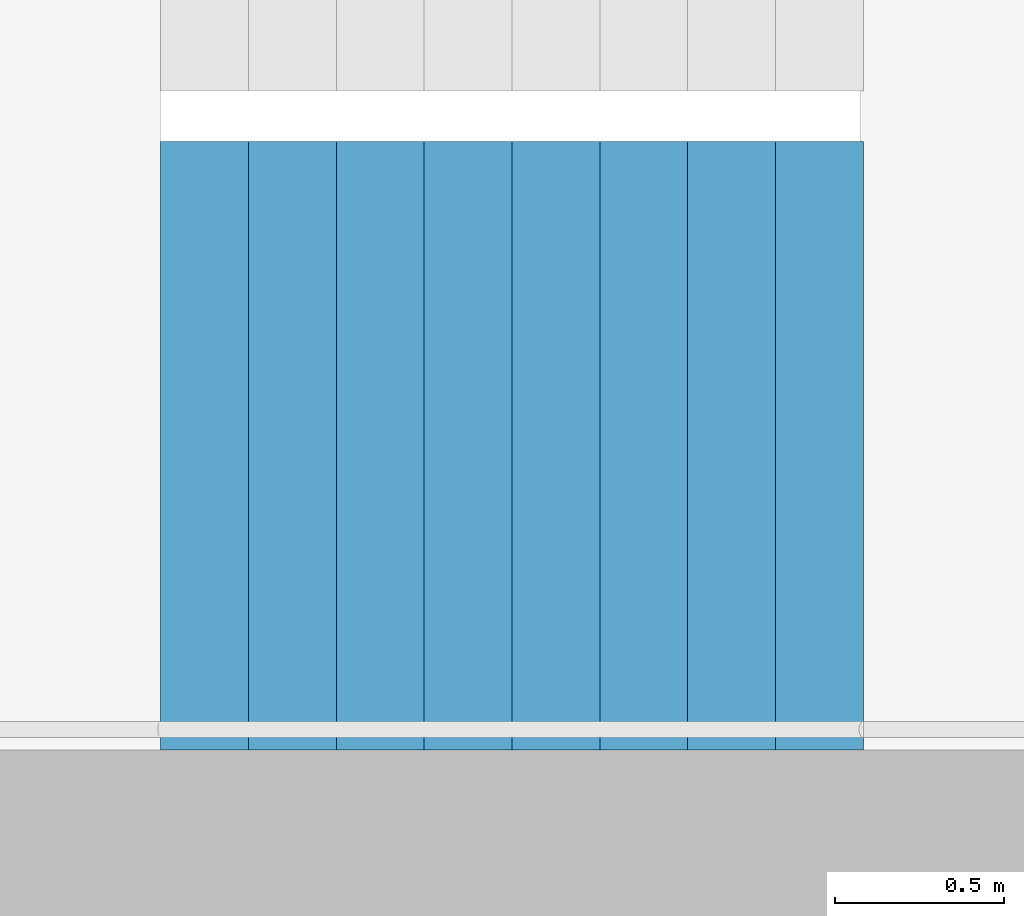
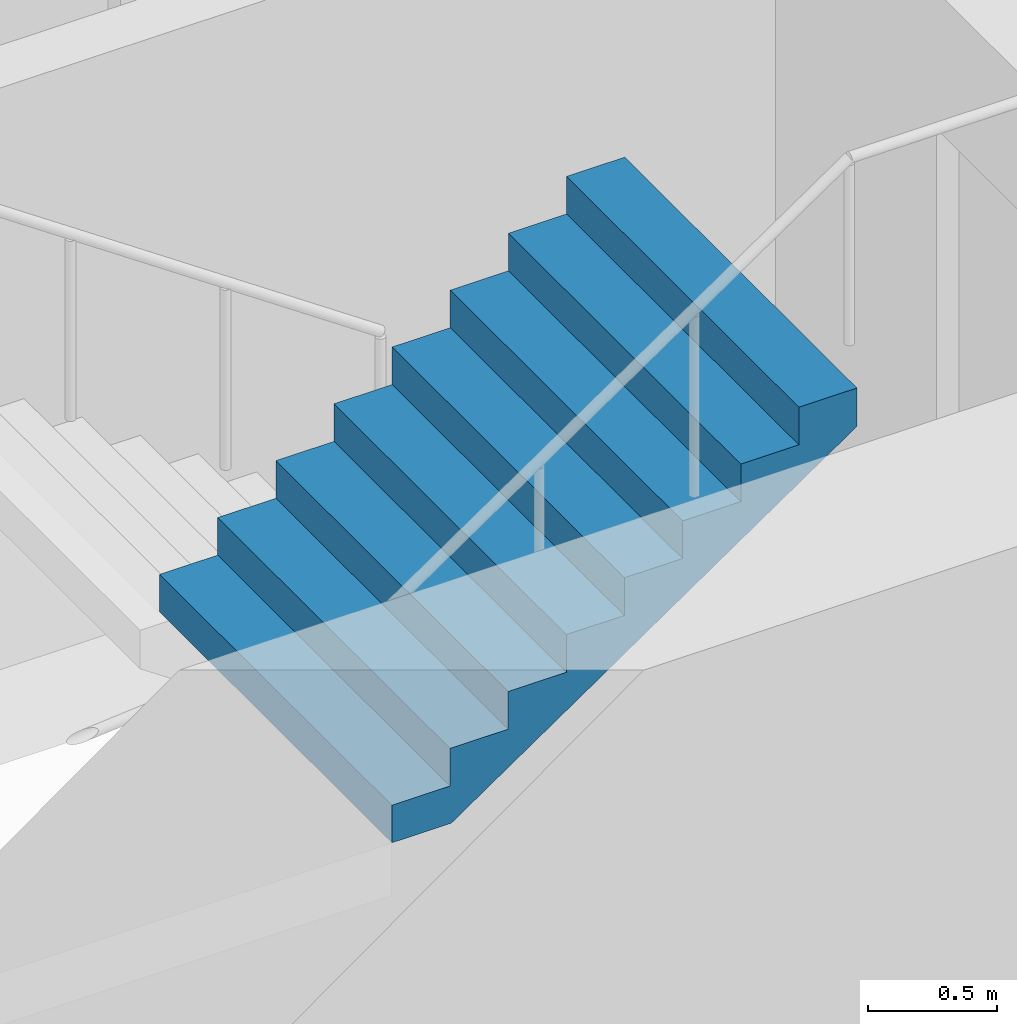
# One storey, part 19 of 27: 1 stair flight, 1 element without a shape of its own.
"""IFC4 building model written with IfcOpenShell, lengths in metres."""

from ifc_helpers import new_model, si_unit, direction, frame, origin, place, context, subcontext, project, spatial, triangles, material, type_object, element, aggregate, save


model = new_model("IFC4")

# Units and contexts
model_context = context("Model", 3, precision=1e-05, world=origin(), true_north=direction((0.0, 1.0)))
body_context = subcontext(model_context, "Body", "Model", "MODEL_VIEW")
ifc_project = project(units=[si_unit("LENGTHUNIT", "METRE"), si_unit("AREAUNIT", "SQUARE_METRE"), si_unit("VOLUMEUNIT", "CUBIC_METRE"), si_unit("PLANEANGLEUNIT", "RADIAN"), si_unit("MASSUNIT", "GRAM", prefix="KILO")], contexts=[model_context])

# Site, building, storey
site_placement = place(None, origin())
site = spatial("IfcSite", under=ifc_project, at=site_placement, CompositionType="ELEMENT")
building_placement = place(site_placement, origin())
building = spatial("IfcBuilding", under=site, at=building_placement, Name="Hakoniwa Tower and Hamabe Station Hall", CompositionType="ELEMENT")
storey_placement = place(building_placement, frame((0.0, 0.0, 242.199951171875)))
storey = spatial("IfcBuildingStorey", under=building, at=storey_placement, Name="L68", CompositionType="ELEMENT", Elevation=242.199951171875)

# Stair, stair flight
ifc_material_1 = material(Name="Concrete C40", Category="concrete")
stair_type = type_object("IfcStairType", Name="ESCAPE STAIR 1800", PredefinedType="HALF_TURN_STAIR", material=ifc_material_1)
stair_placement = place(storey_placement, origin())
stair = element("IfcStair", 1, at=stair_placement, inside=storey, type_object=stair_type, Name="Escape stair ST-2 L68", PredefinedType="HALF_TURN_STAIR")
ifc_material_2 = material(Name="Concrete C40", Category="concrete")
stair_flight_type = type_object("IfcStairFlightType", Name="STAIR FLIGHT 1800", PredefinedType="STRAIGHT", material=ifc_material_2)
stair_flight_placement = place(storey_placement, frame((-25.47998046875, -6.60009765625, 1.60009765625), z_axis=(0.0, 0.0, 1.0), x_axis=(1.0, 0.0, 0.0)))
stair_flight = element("IfcStairFlight", 2, at=stair_flight_placement, type_object=stair_flight_type, Name="ST-2 flight 2", NumberOfRisers=9, NumberOfTreads=8, PredefinedType="STRAIGHT", RiserHeight=0.177777778, TreadLength=0.26, context=body_context, shape_type="Tessellation", body=[
    triangles([(0.0, 0.89990234375, 0.0), (0.260009765625, 0.89990234375, 0.0), (0.265625, 0.89990234375, 0.0), (0.52001953125, 0.89990234375, 0.174072265625), (0.780029296875, 0.89990234375, 0.351806640625), (1.0400390625, 0.89990234375, 0.529541015625), (1.300048828125, 0.89990234375, 0.707275390625), (1.56005859375, 0.89990234375, 0.885009765625), (1.820068359375, 0.89990234375, 1.062744140625), (2.080078125, 0.89990234375, 1.24072265625), (2.080078125, 0.89990234375, 1.422119140625), (1.820068359375, 0.89990234375, 1.422119140625), (1.820068359375, 0.89990234375, 1.244384765625), (1.56005859375, 0.89990234375, 1.244384765625), (1.56005859375, 0.89990234375, 1.066650390625), (1.300048828125, 0.89990234375, 1.066650390625), (1.300048828125, 0.89990234375, 0.888916015625), (1.0400390625, 0.89990234375, 0.888916015625), (1.0400390625, 0.89990234375, 0.711181640625), (0.780029296875, 0.89990234375, 0.711181640625), (0.780029296875, 0.89990234375, 0.533447265625), (0.52001953125, 0.89990234375, 0.533447265625), (0.52001953125, 0.89990234375, 0.35546875), (0.265625, 0.89990234375, 0.35546875), (0.260009765625, 0.89990234375, 0.35546875), (0.260009765625, 0.89990234375, 0.177734375), (0.0, 0.89990234375, 0.177734375), (0.0, 0.06005859375, 0.0), (0.260009765625, 0.06005859375, 0.0), (0.265625, 0.06005859375, 0.0), (0.52001953125, 0.06005859375, 0.174072265625), (0.780029296875, 0.06005859375, 0.351806640625), (1.0400390625, 0.06005859375, 0.529541015625), (1.300048828125, 0.06005859375, 0.707275390625), (1.56005859375, 0.06005859375, 0.885009765625), (1.820068359375, 0.06005859375, 1.062744140625), (2.080078125, 0.06005859375, 1.24072265625), (2.080078125, 0.06005859375, 1.422119140625), (1.820068359375, 0.06005859375, 1.422119140625), (1.820068359375, 0.06005859375, 1.244384765625), (1.56005859375, 0.06005859375, 1.244384765625), (1.56005859375, 0.06005859375, 1.066650390625), (1.300048828125, 0.06005859375, 1.066650390625), (1.300048828125, 0.06005859375, 0.888916015625), (1.0400390625, 0.06005859375, 0.888916015625), (1.0400390625, 0.06005859375, 0.711181640625), (0.780029296875, 0.06005859375, 0.711181640625), (0.780029296875, 0.06005859375, 0.533447265625), (0.52001953125, 0.06005859375, 0.533447265625), (0.52001953125, 0.06005859375, 0.35546875), (0.265625, 0.06005859375, 0.35546875), (0.260009765625, 0.06005859375, 0.35546875), (0.260009765625, 0.06005859375, 0.177734375), (0.0, 0.06005859375, 0.177734375), (0.0, 0.04296875, 0.0), (0.260009765625, 0.04296875, 0.0), (0.265625, 0.04296875, 0.0), (0.52001953125, 0.04296875, 0.174072265625), (0.780029296875, 0.04296875, 0.351806640625), (1.0400390625, 0.04296875, 0.529541015625), (1.300048828125, 0.04296875, 0.707275390625), (1.56005859375, 0.04296875, 0.885009765625), (1.820068359375, 0.04296875, 1.062744140625), (2.080078125, 0.04296875, 1.24072265625), (2.080078125, 0.04296875, 1.422119140625), (1.820068359375, 0.04296875, 1.422119140625), (1.820068359375, 0.04296875, 1.244384765625), (1.56005859375, 0.04296875, 1.244384765625), (1.56005859375, 0.04296875, 1.066650390625), (1.300048828125, 0.04296875, 1.066650390625), (1.300048828125, 0.04296875, 0.888916015625), (1.0400390625, 0.04296875, 0.888916015625), (1.0400390625, 0.04296875, 0.711181640625), (0.780029296875, 0.04296875, 0.711181640625), (0.780029296875, 0.04296875, 0.533447265625), (0.52001953125, 0.04296875, 0.533447265625), (0.52001953125, 0.04296875, 0.35546875), (0.265625, 0.04296875, 0.35546875), (0.260009765625, 0.04296875, 0.35546875), (0.260009765625, 0.04296875, 0.177734375), (0.0, 0.04296875, 0.177734375), (0.0, 0.025634765625, 0.0), (0.260009765625, 0.025634765625, 0.0), (0.265625, 0.025634765625, 0.0), (0.52001953125, 0.025634765625, 0.174072265625), (0.780029296875, 0.025634765625, 0.351806640625), (1.0400390625, 0.025634765625, 0.529541015625), (1.300048828125, 0.025634765625, 0.707275390625), (1.56005859375, 0.025634765625, 0.885009765625), (1.820068359375, 0.025634765625, 1.062744140625), (2.080078125, 0.025634765625, 1.24072265625), (2.080078125, 0.025634765625, 1.422119140625), (1.820068359375, 0.025634765625, 1.422119140625), (1.820068359375, 0.025634765625, 1.244384765625), (1.56005859375, 0.025634765625, 1.244384765625), (1.56005859375, 0.025634765625, 1.066650390625), (1.300048828125, 0.025634765625, 1.066650390625), (1.300048828125, 0.025634765625, 0.888916015625), (1.0400390625, 0.025634765625, 0.888916015625), (1.0400390625, 0.025634765625, 0.711181640625), (0.780029296875, 0.025634765625, 0.711181640625), (0.780029296875, 0.025634765625, 0.533447265625), (0.52001953125, 0.025634765625, 0.533447265625), (0.52001953125, 0.025634765625, 0.35546875), (0.265625, 0.025634765625, 0.35546875), (0.260009765625, 0.025634765625, 0.35546875), (0.260009765625, 0.025634765625, 0.177734375), (0.0, 0.025634765625, 0.177734375), (0.0, 0.008544921875, 0.0), (0.260009765625, 0.008544921875, 0.0), (0.265625, 0.008544921875, 0.0), (0.52001953125, 0.008544921875, 0.174072265625), (0.780029296875, 0.008544921875, 0.351806640625), (1.0400390625, 0.008544921875, 0.529541015625), (1.300048828125, 0.008544921875, 0.707275390625), (1.56005859375, 0.008544921875, 0.885009765625), (1.820068359375, 0.008544921875, 1.062744140625), (2.080078125, 0.008544921875, 1.24072265625), (2.080078125, 0.008544921875, 1.422119140625), (1.820068359375, 0.008544921875, 1.422119140625), (1.820068359375, 0.008544921875, 1.244384765625), (1.56005859375, 0.008544921875, 1.244384765625), (1.56005859375, 0.008544921875, 1.066650390625), (1.300048828125, 0.008544921875, 1.066650390625), (1.300048828125, 0.008544921875, 0.888916015625), (1.0400390625, 0.008544921875, 0.888916015625), (1.0400390625, 0.008544921875, 0.711181640625), (0.780029296875, 0.008544921875, 0.711181640625), (0.780029296875, 0.008544921875, 0.533447265625), (0.52001953125, 0.008544921875, 0.533447265625), (0.52001953125, 0.008544921875, 0.35546875), (0.265625, 0.008544921875, 0.35546875), (0.260009765625, 0.008544921875, 0.35546875), (0.260009765625, 0.008544921875, 0.177734375), (0.0, 0.008544921875, 0.177734375), (0.0, -0.008544921875, 0.0), (0.260009765625, -0.008544921875, 0.0), (0.265625, -0.008544921875, 0.0), (0.52001953125, -0.008544921875, 0.174072265625), (0.780029296875, -0.008544921875, 0.351806640625), (1.0400390625, -0.008544921875, 0.529541015625), (1.300048828125, -0.008544921875, 0.707275390625), (1.56005859375, -0.008544921875, 0.885009765625), (1.820068359375, -0.008544921875, 1.062744140625), (2.080078125, -0.008544921875, 1.24072265625), (2.080078125, -0.008544921875, 1.422119140625), (1.820068359375, -0.008544921875, 1.422119140625), (1.820068359375, -0.008544921875, 1.244384765625), (1.56005859375, -0.008544921875, 1.244384765625), (1.56005859375, -0.008544921875, 1.066650390625), (1.300048828125, -0.008544921875, 1.066650390625), (1.300048828125, -0.008544921875, 0.888916015625), (1.0400390625, -0.008544921875, 0.888916015625), (1.0400390625, -0.008544921875, 0.711181640625), (0.780029296875, -0.008544921875, 0.711181640625), (0.780029296875, -0.008544921875, 0.533447265625), (0.52001953125, -0.008544921875, 0.533447265625), (0.52001953125, -0.008544921875, 0.35546875), (0.265625, -0.008544921875, 0.35546875), (0.260009765625, -0.008544921875, 0.35546875), (0.260009765625, -0.008544921875, 0.177734375), (0.0, -0.008544921875, 0.177734375), (0.0, -0.025634765625, 0.0), (0.260009765625, -0.025634765625, 0.0), (0.265625, -0.025634765625, 0.0), (0.52001953125, -0.025634765625, 0.174072265625), (0.780029296875, -0.025634765625, 0.351806640625), (1.0400390625, -0.025634765625, 0.529541015625), (1.300048828125, -0.025634765625, 0.707275390625), (1.56005859375, -0.025634765625, 0.885009765625), (1.820068359375, -0.025634765625, 1.062744140625), (2.080078125, -0.025634765625, 1.24072265625), (2.080078125, -0.025634765625, 1.422119140625), (1.820068359375, -0.025634765625, 1.422119140625), (1.820068359375, -0.025634765625, 1.244384765625), (1.56005859375, -0.025634765625, 1.244384765625), (1.56005859375, -0.025634765625, 1.066650390625), (1.300048828125, -0.025634765625, 1.066650390625), (1.300048828125, -0.025634765625, 0.888916015625), (1.0400390625, -0.025634765625, 0.888916015625), (1.0400390625, -0.025634765625, 0.711181640625), (0.780029296875, -0.025634765625, 0.711181640625), (0.780029296875, -0.025634765625, 0.533447265625), (0.52001953125, -0.025634765625, 0.533447265625), (0.52001953125, -0.025634765625, 0.35546875), (0.265625, -0.025634765625, 0.35546875), (0.260009765625, -0.025634765625, 0.35546875), (0.260009765625, -0.025634765625, 0.177734375), (0.0, -0.025634765625, 0.177734375), (0.0, -0.04296875, 0.0), (0.260009765625, -0.04296875, 0.0), (0.265625, -0.04296875, 0.0), (0.52001953125, -0.04296875, 0.174072265625), (0.780029296875, -0.04296875, 0.351806640625), (1.0400390625, -0.04296875, 0.529541015625), (1.300048828125, -0.04296875, 0.707275390625), (1.56005859375, -0.04296875, 0.885009765625), (1.820068359375, -0.04296875, 1.062744140625), (2.080078125, -0.04296875, 1.24072265625), (2.080078125, -0.04296875, 1.422119140625), (1.820068359375, -0.04296875, 1.422119140625), (1.820068359375, -0.04296875, 1.244384765625), (1.56005859375, -0.04296875, 1.244384765625), (1.56005859375, -0.04296875, 1.066650390625), (1.300048828125, -0.04296875, 1.066650390625), (1.300048828125, -0.04296875, 0.888916015625), (1.0400390625, -0.04296875, 0.888916015625), (1.0400390625, -0.04296875, 0.711181640625), (0.780029296875, -0.04296875, 0.711181640625), (0.780029296875, -0.04296875, 0.533447265625), (0.52001953125, -0.04296875, 0.533447265625), (0.52001953125, -0.04296875, 0.35546875), (0.265625, -0.04296875, 0.35546875), (0.260009765625, -0.04296875, 0.35546875), (0.260009765625, -0.04296875, 0.177734375), (0.0, -0.04296875, 0.177734375), (0.0, -0.06005859375, 0.0), (0.260009765625, -0.06005859375, 0.0), (0.265625, -0.06005859375, 0.0), (0.52001953125, -0.06005859375, 0.174072265625), (0.780029296875, -0.06005859375, 0.351806640625), (1.0400390625, -0.06005859375, 0.529541015625), (1.300048828125, -0.06005859375, 0.707275390625), (1.56005859375, -0.06005859375, 0.885009765625), (1.820068359375, -0.06005859375, 1.062744140625), (2.080078125, -0.06005859375, 1.24072265625), (2.080078125, -0.06005859375, 1.422119140625), (1.820068359375, -0.06005859375, 1.422119140625), (1.820068359375, -0.06005859375, 1.244384765625), (1.56005859375, -0.06005859375, 1.244384765625), (1.56005859375, -0.06005859375, 1.066650390625), (1.300048828125, -0.06005859375, 1.066650390625), (1.300048828125, -0.06005859375, 0.888916015625), (1.0400390625, -0.06005859375, 0.888916015625), (1.0400390625, -0.06005859375, 0.711181640625), (0.780029296875, -0.06005859375, 0.711181640625), (0.780029296875, -0.06005859375, 0.533447265625), (0.52001953125, -0.06005859375, 0.533447265625), (0.52001953125, -0.06005859375, 0.35546875), (0.265625, -0.06005859375, 0.35546875), (0.260009765625, -0.06005859375, 0.35546875), (0.260009765625, -0.06005859375, 0.177734375), (0.0, -0.06005859375, 0.177734375), (0.0, -0.89990234375, 0.0), (0.260009765625, -0.89990234375, 0.0), (0.265625, -0.89990234375, 0.0), (0.52001953125, -0.89990234375, 0.174072265625), (0.780029296875, -0.89990234375, 0.351806640625), (1.0400390625, -0.89990234375, 0.529541015625), (1.300048828125, -0.89990234375, 0.707275390625), (1.56005859375, -0.89990234375, 0.885009765625), (1.820068359375, -0.89990234375, 1.062744140625), (2.080078125, -0.89990234375, 1.24072265625), (2.080078125, -0.89990234375, 1.422119140625), (1.820068359375, -0.89990234375, 1.422119140625), (1.820068359375, -0.89990234375, 1.244384765625), (1.56005859375, -0.89990234375, 1.244384765625), (1.56005859375, -0.89990234375, 1.066650390625), (1.300048828125, -0.89990234375, 1.066650390625), (1.300048828125, -0.89990234375, 0.888916015625), (1.0400390625, -0.89990234375, 0.888916015625), (1.0400390625, -0.89990234375, 0.711181640625), (0.780029296875, -0.89990234375, 0.711181640625), (0.780029296875, -0.89990234375, 0.533447265625), (0.52001953125, -0.89990234375, 0.533447265625), (0.52001953125, -0.89990234375, 0.35546875), (0.265625, -0.89990234375, 0.35546875), (0.260009765625, -0.89990234375, 0.35546875), (0.260009765625, -0.89990234375, 0.177734375), (0.0, -0.89990234375, 0.177734375)], [[2, 27, 26], [245, 269, 270], [2, 1, 27], [245, 270, 244], [3, 25, 24], [246, 267, 268], [3, 26, 25], [246, 268, 269], [3, 2, 26], [246, 269, 245], [4, 24, 23], [247, 266, 267], [4, 3, 24], [247, 267, 246], [5, 22, 21], [248, 264, 265], [5, 23, 22], [248, 265, 266], [5, 4, 23], [248, 266, 247], [6, 20, 19], [249, 262, 263], [6, 21, 20], [249, 263, 264], [6, 5, 21], [249, 264, 248], [7, 18, 17], [250, 260, 261], [7, 19, 18], [250, 261, 262], [7, 6, 19], [250, 262, 249], [8, 16, 15], [251, 258, 259], [8, 17, 16], [251, 259, 260], [8, 7, 17], [251, 260, 250], [9, 14, 13], [252, 256, 257], [9, 15, 14], [252, 257, 258], [9, 8, 15], [252, 258, 251], [10, 12, 11], [253, 254, 255], [10, 13, 12], [253, 255, 256], [10, 9, 13], [253, 256, 252], [1, 2, 29], [1, 29, 28], [28, 29, 56], [28, 56, 55], [55, 56, 83], [55, 83, 82], [82, 83, 110], [82, 110, 109], [109, 110, 137], [109, 137, 136], [136, 137, 164], [136, 164, 163], [163, 164, 191], [163, 191, 190], [190, 191, 218], [190, 218, 217], [217, 218, 245], [217, 245, 244], [2, 3, 30], [2, 30, 29], [29, 30, 57], [29, 57, 56], [56, 57, 84], [56, 84, 83], [83, 84, 111], [83, 111, 110], [110, 111, 138], [110, 138, 137], [137, 138, 165], [137, 165, 164], [164, 165, 192], [164, 192, 191], [191, 192, 219], [191, 219, 218], [218, 219, 246], [218, 246, 245], [3, 4, 31], [3, 31, 30], [30, 31, 58], [30, 58, 57], [57, 58, 85], [57, 85, 84], [84, 85, 112], [84, 112, 111], [111, 112, 139], [111, 139, 138], [138, 139, 166], [138, 166, 165], [165, 166, 193], [165, 193, 192], [192, 193, 220], [192, 220, 219], [219, 220, 247], [219, 247, 246], [4, 5, 32], [4, 32, 31], [31, 32, 59], [31, 59, 58], [58, 59, 86], [58, 86, 85], [85, 86, 113], [85, 113, 112], [112, 113, 140], [112, 140, 139], [139, 140, 167], [139, 167, 166], [166, 167, 194], [166, 194, 193], [193, 194, 221], [193, 221, 220], [220, 221, 248], [220, 248, 247], [5, 6, 33], [5, 33, 32], [32, 33, 60], [32, 60, 59], [59, 60, 87], [59, 87, 86], [86, 87, 114], [86, 114, 113], [113, 114, 141], [113, 141, 140], [140, 141, 168], [140, 168, 167], [167, 168, 195], [167, 195, 194], [194, 195, 222], [194, 222, 221], [221, 222, 249], [221, 249, 248], [6, 7, 34], [6, 34, 33], [33, 34, 61], [33, 61, 60], [60, 61, 88], [60, 88, 87], [87, 88, 115], [87, 115, 114], [114, 115, 142], [114, 142, 141], [141, 142, 169], [141, 169, 168], [168, 169, 196], [168, 196, 195], [195, 196, 223], [195, 223, 222], [222, 223, 250], [222, 250, 249], [7, 8, 35], [7, 35, 34], [34, 35, 62], [34, 62, 61], [61, 62, 89], [61, 89, 88], [88, 89, 116], [88, 116, 115], [115, 116, 143], [115, 143, 142], [142, 143, 170], [142, 170, 169], [169, 170, 197], [169, 197, 196], [196, 197, 224], [196, 224, 223], [223, 224, 251], [223, 251, 250], [8, 9, 36], [8, 36, 35], [35, 36, 63], [35, 63, 62], [62, 63, 90], [62, 90, 89], [89, 90, 117], [89, 117, 116], [116, 117, 144], [116, 144, 143], [143, 144, 171], [143, 171, 170], [170, 171, 198], [170, 198, 197], [197, 198, 225], [197, 225, 224], [224, 225, 252], [224, 252, 251], [9, 10, 37], [9, 37, 36], [36, 37, 64], [36, 64, 63], [63, 64, 91], [63, 91, 90], [90, 91, 118], [90, 118, 117], [117, 118, 145], [117, 145, 144], [144, 145, 172], [144, 172, 171], [171, 172, 199], [171, 199, 198], [198, 199, 226], [198, 226, 225], [225, 226, 253], [225, 253, 252], [10, 11, 38], [10, 38, 37], [37, 38, 65], [37, 65, 64], [64, 65, 92], [64, 92, 91], [91, 92, 119], [91, 119, 118], [118, 119, 146], [118, 146, 145], [145, 146, 173], [145, 173, 172], [172, 173, 200], [172, 200, 199], [199, 200, 227], [199, 227, 226], [226, 227, 254], [226, 254, 253], [11, 12, 39], [11, 39, 38], [38, 39, 66], [38, 66, 65], [65, 66, 93], [65, 93, 92], [92, 93, 120], [92, 120, 119], [119, 120, 147], [119, 147, 146], [146, 147, 174], [146, 174, 173], [173, 174, 201], [173, 201, 200], [200, 201, 228], [200, 228, 227], [227, 228, 255], [227, 255, 254], [12, 13, 40], [12, 40, 39], [39, 40, 67], [39, 67, 66], [66, 67, 94], [66, 94, 93], [93, 94, 121], [93, 121, 120], [120, 121, 148], [120, 148, 147], [147, 148, 175], [147, 175, 174], [174, 175, 202], [174, 202, 201], [201, 202, 229], [201, 229, 228], [228, 229, 256], [228, 256, 255], [13, 14, 41], [13, 41, 40], [40, 41, 68], [40, 68, 67], [67, 68, 95], [67, 95, 94], [94, 95, 122], [94, 122, 121], [121, 122, 149], [121, 149, 148], [148, 149, 176], [148, 176, 175], [175, 176, 203], [175, 203, 202], [202, 203, 230], [202, 230, 229], [229, 230, 257], [229, 257, 256], [14, 15, 42], [14, 42, 41], [41, 42, 69], [41, 69, 68], [68, 69, 96], [68, 96, 95], [95, 96, 123], [95, 123, 122], [122, 123, 150], [122, 150, 149], [149, 150, 177], [149, 177, 176], [176, 177, 204], [176, 204, 203], [203, 204, 231], [203, 231, 230], [230, 231, 258], [230, 258, 257], [15, 16, 43], [15, 43, 42], [42, 43, 70], [42, 70, 69], [69, 70, 97], [69, 97, 96], [96, 97, 124], [96, 124, 123], [123, 124, 151], [123, 151, 150], [150, 151, 178], [150, 178, 177], [177, 178, 205], [177, 205, 204], [204, 205, 232], [204, 232, 231], [231, 232, 259], [231, 259, 258], [16, 17, 44], [16, 44, 43], [43, 44, 71], [43, 71, 70], [70, 71, 98], [70, 98, 97], [97, 98, 125], [97, 125, 124], [124, 125, 152], [124, 152, 151], [151, 152, 179], [151, 179, 178], [178, 179, 206], [178, 206, 205], [205, 206, 233], [205, 233, 232], [232, 233, 260], [232, 260, 259], [17, 18, 45], [17, 45, 44], [44, 45, 72], [44, 72, 71], [71, 72, 99], [71, 99, 98], [98, 99, 126], [98, 126, 125], [125, 126, 153], [125, 153, 152], [152, 153, 180], [152, 180, 179], [179, 180, 207], [179, 207, 206], [206, 207, 234], [206, 234, 233], [233, 234, 261], [233, 261, 260], [18, 19, 46], [18, 46, 45], [45, 46, 73], [45, 73, 72], [72, 73, 100], [72, 100, 99], [99, 100, 127], [99, 127, 126], [126, 127, 154], [126, 154, 153], [153, 154, 181], [153, 181, 180], [180, 181, 208], [180, 208, 207], [207, 208, 235], [207, 235, 234], [234, 235, 262], [234, 262, 261], [19, 20, 47], [19, 47, 46], [46, 47, 74], [46, 74, 73], [73, 74, 101], [73, 101, 100], [100, 101, 128], [100, 128, 127], [127, 128, 155], [127, 155, 154], [154, 155, 182], [154, 182, 181], [181, 182, 209], [181, 209, 208], [208, 209, 236], [208, 236, 235], [235, 236, 263], [235, 263, 262], [20, 21, 48], [20, 48, 47], [47, 48, 75], [47, 75, 74], [74, 75, 102], [74, 102, 101], [101, 102, 129], [101, 129, 128], [128, 129, 156], [128, 156, 155], [155, 156, 183], [155, 183, 182], [182, 183, 210], [182, 210, 209], [209, 210, 237], [209, 237, 236], [236, 237, 264], [236, 264, 263], [21, 22, 49], [21, 49, 48], [48, 49, 76], [48, 76, 75], [75, 76, 103], [75, 103, 102], [102, 103, 130], [102, 130, 129], [129, 130, 157], [129, 157, 156], [156, 157, 184], [156, 184, 183], [183, 184, 211], [183, 211, 210], [210, 211, 238], [210, 238, 237], [237, 238, 265], [237, 265, 264], [22, 23, 50], [22, 50, 49], [49, 50, 77], [49, 77, 76], [76, 77, 104], [76, 104, 103], [103, 104, 131], [103, 131, 130], [130, 131, 158], [130, 158, 157], [157, 158, 185], [157, 185, 184], [184, 185, 212], [184, 212, 211], [211, 212, 239], [211, 239, 238], [238, 239, 266], [238, 266, 265], [23, 24, 51], [23, 51, 50], [50, 51, 78], [50, 78, 77], [77, 78, 105], [77, 105, 104], [104, 105, 132], [104, 132, 131], [131, 132, 159], [131, 159, 158], [158, 159, 186], [158, 186, 185], [185, 186, 213], [185, 213, 212], [212, 213, 240], [212, 240, 239], [239, 240, 267], [239, 267, 266], [24, 25, 52], [24, 52, 51], [51, 52, 79], [51, 79, 78], [78, 79, 106], [78, 106, 105], [105, 106, 133], [105, 133, 132], [132, 133, 160], [132, 160, 159], [159, 160, 187], [159, 187, 186], [186, 187, 214], [186, 214, 213], [213, 214, 241], [213, 241, 240], [240, 241, 268], [240, 268, 267], [25, 26, 53], [25, 53, 52], [52, 53, 80], [52, 80, 79], [79, 80, 107], [79, 107, 106], [106, 107, 134], [106, 134, 133], [133, 134, 161], [133, 161, 160], [160, 161, 188], [160, 188, 187], [187, 188, 215], [187, 215, 214], [214, 215, 242], [214, 242, 241], [241, 242, 269], [241, 269, 268], [26, 27, 54], [26, 54, 53], [53, 54, 81], [53, 81, 80], [80, 81, 108], [80, 108, 107], [107, 108, 135], [107, 135, 134], [134, 135, 162], [134, 162, 161], [161, 162, 189], [161, 189, 188], [188, 189, 216], [188, 216, 215], [215, 216, 243], [215, 243, 242], [242, 243, 270], [242, 270, 269], [27, 1, 28], [27, 28, 54], [54, 28, 55], [54, 55, 81], [81, 55, 82], [81, 82, 108], [108, 82, 109], [108, 109, 135], [135, 109, 136], [135, 136, 162], [162, 136, 163], [162, 163, 189], [189, 163, 190], [189, 190, 216], [216, 190, 217], [216, 217, 243], [243, 217, 244], [243, 244, 270]], closed=True),
])
aggregate(stair, [stair_flight])

save(model, "model.ifc")
